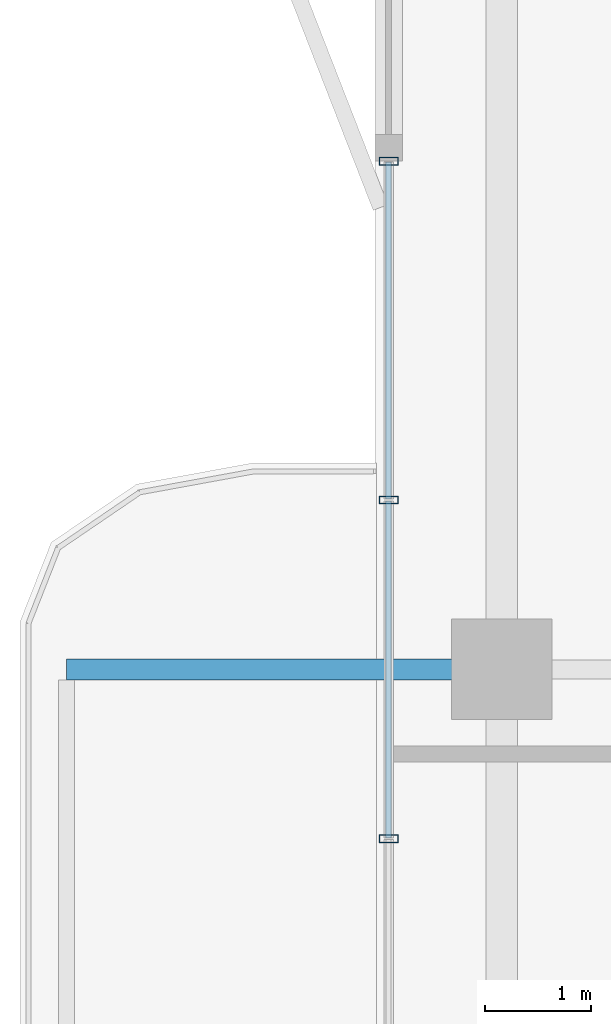
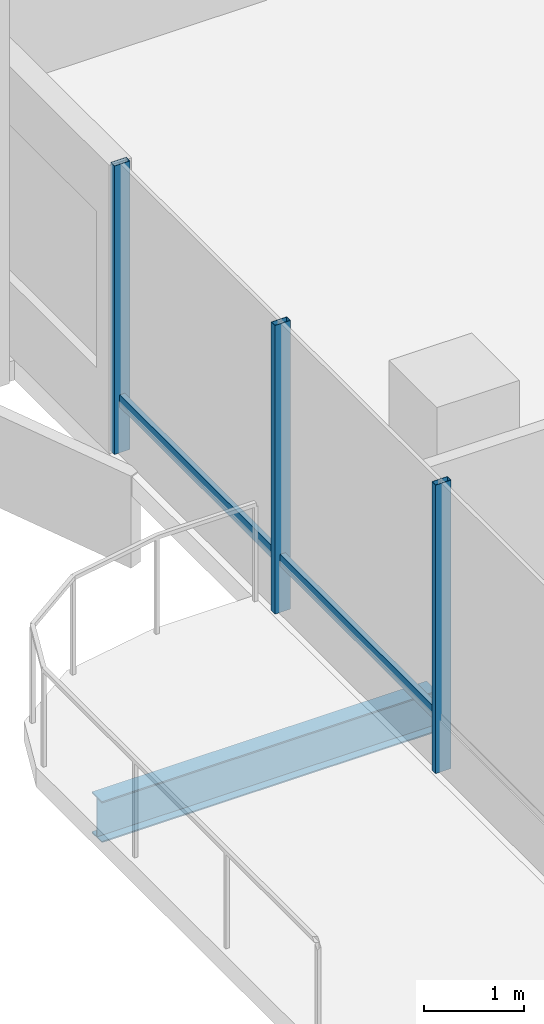
# One storey, part 7 of 20: 5 members, 1 beam, 1 element without a shape of its own.
"""IFC4 building model written with IfcOpenShell, lengths in metres."""

from ifc_helpers import new_model, si_unit, direction, frame, origin, origin_2d, place, context, subcontext, project, spatial, hollow_rectangle, i_section, extrude, material, layer, layer_set, material_profile, profile_set, type_object, element, aggregate, save


model = new_model("IFC4")

# Units and contexts
model_context = context("Model", 3, precision=1e-05, world=origin(), true_north=direction((0.0, 1.0)))
body_context = subcontext(model_context, "Body", "Model", "MODEL_VIEW")
ifc_project = project(units=[si_unit("LENGTHUNIT", "METRE"), si_unit("AREAUNIT", "SQUARE_METRE"), si_unit("VOLUMEUNIT", "CUBIC_METRE"), si_unit("PLANEANGLEUNIT", "RADIAN"), si_unit("MASSUNIT", "GRAM", prefix="KILO")], contexts=[model_context])

# Site, building, storey
site_placement = place(None, origin())
site = spatial("IfcSite", under=ifc_project, at=site_placement, CompositionType="ELEMENT")
building_placement = place(site_placement, origin())
building = spatial("IfcBuilding", under=site, at=building_placement, Name="Belovzor Exchange Tower", CompositionType="ELEMENT")
storey_placement = place(building_placement, frame((0.0, 0.0, 306.75)))
storey = spatial("IfcBuildingStorey", under=building, at=storey_placement, Name="L76", CompositionType="ELEMENT", Elevation=306.75)

# Beam
ifc_material_1 = material(Name="Steel S355", Category="steel")
ifc_material_profile_1 = material_profile(ifc_material_1, i_section(OverallWidth=0.199951171875, OverallDepth=0.5, WebThickness=0.01025390625, FlangeThickness=0.01611328125, at=origin_2d()))
ifc_profile_set_1 = profile_set([ifc_material_profile_1], Name="Steel S355")
beam_type = type_object("IfcBeamType", Name="Planted Balcony Cantilever Beam IPE 500", PredefinedType="BEAM", material=ifc_profile_set_1)
beam_placement = place(storey_placement, frame((6.93896484375, 28.800048828125, -0.489990234375), z_axis=(-1.0, 0.0, 0.0), x_axis=(0.0, -1.0, 0.0)))
element("IfcBeam", 1, at=beam_placement, inside=storey, type_object=beam_type, Name="BC-500 Planted Balcony Cantilever Beam IPE 500", PredefinedType="BEAM", context=body_context, shape_type="SweptSolid", body=[
    extrude(i_section(OverallWidth=0.199951171875, OverallDepth=0.5, WebThickness=0.01025390625, FlangeThickness=0.01611328125, at=origin_2d()), origin(), (0.0, 0.0, 1.0), 3.849853515625),
])

# Curtain wall, members
ifc_material_2 = material(Name="Anodised Aluminium Framing", Category="aluminium")
ifc_layer = layer(ifc_material_2, 0.179931640625)
ifc_layer_set = layer_set([ifc_layer], Name="Anodised Aluminium Framing")
curtain_wall_type = type_object("IfcCurtainWallType", Name="Recessed Loggia Low-Iron Triple-Glazed Curtain Wall", PredefinedType="NOTDEFINED", material=ifc_layer_set)
curtain_wall_placement = place(storey_placement, origin())
curtain_wall = element("IfcCurtainWall", 2, at=curtain_wall_placement, inside=storey, type_object=curtain_wall_type, Name="CW3 Recessed Loggia Low-Iron Triple-Glazed Curtain Wall L76", PredefinedType="NOTDEFINED")
ifc_material_3 = material(Name="Steel S355", Category="steel")
ifc_material_profile_2 = material_profile(ifc_material_3, hollow_rectangle(XDim=0.074951171875, YDim=0.179931640625, WallThickness=0.0048828125, at=origin_2d()))
ifc_profile_set_2 = profile_set([ifc_material_profile_2], Name="Steel S355")
member_type_1 = type_object("IfcMemberType", Name="Thermally Broken Curtain Wall Mullion 180x75", PredefinedType="MULLION", material=ifc_profile_set_2)
member_1_placement = place(storey_placement, frame((6.1298828125, 27.199951171875, 0.0), z_axis=(0.0, 0.0, 1.0), x_axis=(0.0, 1.0, 0.0)))
member_1 = element("IfcMember", 3, at=member_1_placement, type_object=member_type_1, Name="CW-M180 Curtain Wall Mullion 2", PredefinedType="MULLION", context=body_context, shape_type="SweptSolid", body=[
    extrude(hollow_rectangle(XDim=0.074951171875, YDim=0.179931640625, WallThickness=0.0048828125, at=origin_2d()), origin(), (0.0, 0.0, 1.0), 3.510009765625),
])
member_2_placement = place(storey_placement, frame((6.1298828125, 30.39990234375, 0.0), z_axis=(0.0, 0.0, 1.0), x_axis=(0.0, 1.0, 0.0)))
member_2 = element("IfcMember", 4, at=member_2_placement, type_object=member_type_1, Name="CW-M180 Curtain Wall Mullion 3", PredefinedType="MULLION", context=body_context, shape_type="SweptSolid", body=[
    extrude(hollow_rectangle(XDim=0.074951171875, YDim=0.179931640625, WallThickness=0.0048828125, at=origin_2d()), origin(), (0.0, 0.0, 1.0), 3.510009765625),
])
member_3_placement = place(storey_placement, frame((6.1298828125, 33.60009765625, 0.0), z_axis=(0.0, 0.0, 1.0), x_axis=(0.0, 1.0, 0.0)))
member_3 = element("IfcMember", 5, at=member_3_placement, type_object=member_type_1, Name="CW-M180 Curtain Wall Mullion 4", PredefinedType="MULLION", context=body_context, shape_type="SweptSolid", body=[
    extrude(hollow_rectangle(XDim=0.074951171875, YDim=0.179931640625, WallThickness=0.0048828125, at=origin_2d()), origin(), (0.0, 0.0, 1.0), 3.510009765625),
])
ifc_material_4 = material(Name="Steel S355", Category="steel")
ifc_material_profile_3 = material_profile(ifc_material_4, hollow_rectangle(XDim=0.06005859375, YDim=0.14990234375, WallThickness=0.00390625, at=origin_2d()))
ifc_profile_set_3 = profile_set([ifc_material_profile_3], Name="Steel S355")
member_type_2 = type_object("IfcMemberType", Name="Thermally Broken Curtain Wall Transom 150x60", PredefinedType="USERDEFINED", material=ifc_profile_set_3)
member_4_placement = place(storey_placement, frame((6.1298828125, 27.2080078125, 0.632080078125), z_axis=(0.0, 1.0, 0.0), x_axis=(-1.0, 0.0, 0.0)))
member_4 = element("IfcMember", 6, at=member_4_placement, type_object=member_type_2, Name="CW-T150 Curtain Wall Transom 2", ObjectType="TRANSOM", PredefinedType="USERDEFINED", context=body_context, shape_type="SweptSolid", body=[
    extrude(hollow_rectangle(XDim=0.06005859375, YDim=0.14990234375, WallThickness=0.00390625, at=origin_2d()), origin(), (0.0, 0.0, 1.0), 3.18408203125),
])
member_5_placement = place(storey_placement, frame((6.1298828125, 30.407958984375, 0.632080078125), z_axis=(0.0, 1.0, 0.0), x_axis=(-1.0, 0.0, 0.0)))
member_5 = element("IfcMember", 7, at=member_5_placement, type_object=member_type_2, Name="CW-T150 Curtain Wall Transom 3", ObjectType="TRANSOM", PredefinedType="USERDEFINED", context=body_context, shape_type="SweptSolid", body=[
    extrude(hollow_rectangle(XDim=0.06005859375, YDim=0.14990234375, WallThickness=0.00390625, at=origin_2d()), origin(), (0.0, 0.0, 1.0), 3.18408203125),
])
aggregate(curtain_wall, [member_1, member_2, member_3, member_4, member_5])

save(model, "model.ifc")
